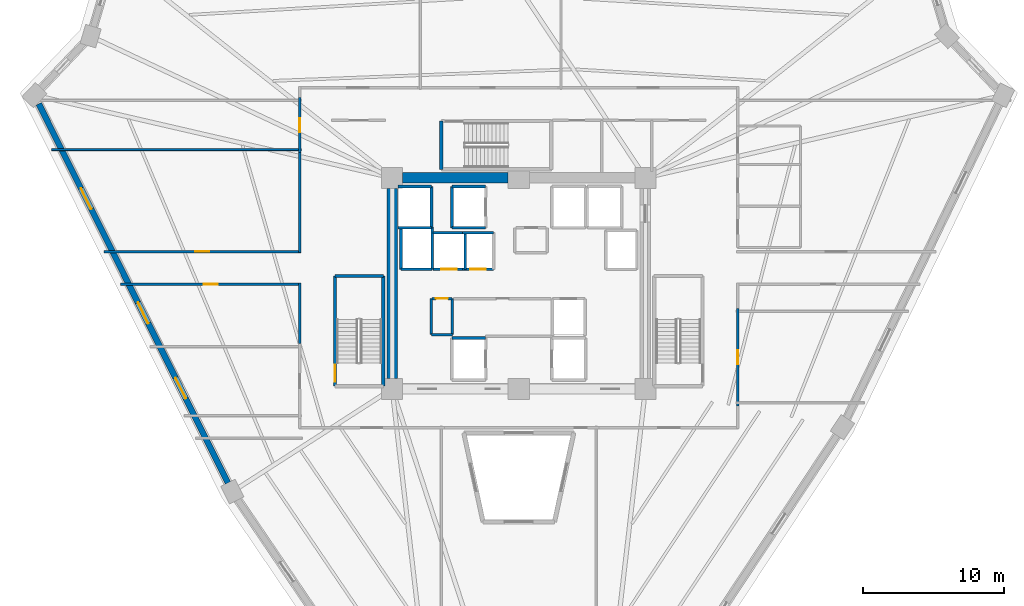
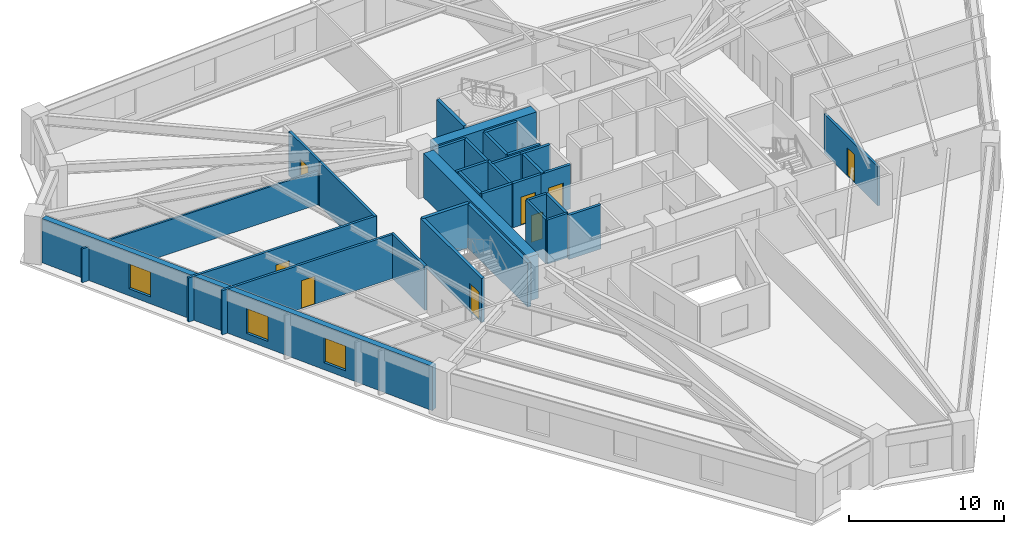
# One storey, part 4 of 8: 33 walls, 8 doors, 3 windows, 11 openings.
"""IFC4 building model written with IfcOpenShell, lengths in metres."""

from ifc_helpers import new_model, si_unit, direction, frame, frame_2d, origin, place, context, subcontext, project, spatial, rectangle, extrude, source, transform, mapped, material, layer, layer_set, type_object, element, fill, save


model = new_model("IFC4")

# Units and contexts
model_context = context("Model", 3, precision=1e-05, world=origin(), true_north=direction((0.0, 1.0)))
body_context = subcontext(model_context, "Body", "Model", "MODEL_VIEW")
ifc_project = project(units=[si_unit("LENGTHUNIT", "METRE"), si_unit("AREAUNIT", "SQUARE_METRE"), si_unit("VOLUMEUNIT", "CUBIC_METRE"), si_unit("PLANEANGLEUNIT", "RADIAN"), si_unit("MASSUNIT", "GRAM", prefix="KILO")], contexts=[model_context])

# Site, building, storey
site_placement = place(None, origin())
site = spatial("IfcSite", under=ifc_project, at=site_placement, CompositionType="ELEMENT")
building_placement = place(site_placement, origin())
building = spatial("IfcBuilding", under=site, at=building_placement, Name="Liaohun Quay Tower", CompositionType="ELEMENT")
storey_placement = place(building_placement, frame((0.0, 0.0, 181.5)))
storey = spatial("IfcBuildingStorey", under=building, at=storey_placement, Name="L47", CompositionType="ELEMENT", Elevation=181.5)

# Walls
ifc_material_1 = material(Name="Concrete C60", Category="concrete")
ifc_layer_1 = layer(ifc_material_1, 0.75, Name="Concrete C60", Category="concrete")
ifc_layer_set_1 = layer_set([ifc_layer_1], Name="Concrete C60")
wall_type_1 = type_object("IfcWallType", Name="WAL-COR-Z2", PredefinedType="SHEAR", material=ifc_layer_set_1)
wall_1_placement = place(storey_placement, frame((51.75, 61.5, 0.0), z_axis=(0.0, 0.0, 1.0), x_axis=(1.0, 0.0, 0.0)))
element("IfcWall", 1, at=wall_1_placement, inside=storey, type_object=wall_type_1, Name="L47 Central Core Shear Wall N-W", PredefinedType="SHEAR", context=body_context, shape_type="SweptSolid", body=[
    extrude(rectangle(XDim=7.5, YDim=0.75, at=frame_2d((3.75, 0.0))), origin(), (0.0, 0.0, 1.0), 3.469970703125),
])
wall_2_placement = place(storey_placement, frame((51.0, 47.25, 0.0), z_axis=(0.0, 0.0, 1.0), x_axis=(0.0, 1.0, 0.0)))
element("IfcWall", 2, at=wall_2_placement, inside=storey, type_object=wall_type_1, Name="L47 Central Core Shear Wall W", PredefinedType="SHEAR", context=body_context, shape_type="SweptSolid", body=[
    extrude(rectangle(XDim=13.5, YDim=0.75, at=frame_2d((6.75, 0.0))), origin(), (0.0, 0.0, 1.0), 3.469970703125),
])

# Wall, openings, windows
ifc_material_2 = material(Name="Precast concrete C50 insulated sandwich", Category="concrete")
ifc_layer_2 = layer(ifc_material_2, 0.419921875, Name="Precast concrete C50 insulated sandwich", Category="concrete")
ifc_layer_set_2 = layer_set([ifc_layer_2], Name="Precast concrete C50 insulated sandwich")
wall_type_2 = type_object("IfcWallType", Name="WAL-EXT-Z12", PredefinedType="SOLIDWALL", material=ifc_layer_set_2)
wall_3_placement = place(storey_placement, frame((25.887939453125, 66.7529296875, 0.0), z_axis=(0.0, 0.0, 1.0), x_axis=(0.446538896614, -0.894764222469, 0.0)))
wall_3 = element("IfcWall", 3, at=wall_3_placement, inside=storey, type_object=wall_type_2, Name="L47 Brutalist Precast Pier Wall 10", PredefinedType="SOLIDWALL", context=body_context, shape_type="SweptSolid", body=[
    extrude(rectangle(XDim=30.11181640625, YDim=0.419921875, at=frame_2d((15.055908203125, 0.0))), origin(), (0.0, 0.0, 1.0), 3.469970703125),
])
shared_shape_1 = source(origin(), body_context, "Body", "SweptSolid", [
    extrude(rectangle(XDim=1.64990234375, YDim=1.949951171875, at=frame_2d((0.824951171875, 0.97509765625))), frame((0.0, 0.219970703125, 0.0), z_axis=(0.0, -1.0, 0.0), x_axis=(1.0, 0.0, 0.0)), (0.0, 0.0, 1.0), 0.43994140625),
])
opening_1_placement = place(wall_3_placement, frame((6.702880859375, 0.0, 0.550048828125)))
opening_1 = element("IfcOpeningElement", 4, at=opening_1_placement, cuts=wall_3, Name="Opening W02", PredefinedType="OPENING", context=body_context, shape_type="MappedRepresentation", body=[
    mapped(shared_shape_1, transform((0.0, 0.0, 0.0), x_axis=(1.0, 0.0, 0.0), y_axis=(0.0, 1.0, 0.0), z_axis=(0.0, 0.0, 1.0), scale=1.0)),
])
opening_2_placement = place(wall_3_placement, frame((15.781005859375, 0.0, 0.550048828125)))
opening_2 = element("IfcOpeningElement", 5, at=opening_2_placement, cuts=wall_3, Name="Opening W02", PredefinedType="OPENING", context=body_context, shape_type="MappedRepresentation", body=[
    mapped(shared_shape_1, transform((0.0, 0.0, 0.0), x_axis=(1.0, 0.0, 0.0), y_axis=(0.0, 1.0, 0.0), z_axis=(0.0, 0.0, 1.0), scale=1.0)),
])
opening_3_placement = place(wall_3_placement, frame((21.759033203125, 0.0, 0.550048828125)))
opening_3 = element("IfcOpeningElement", 6, at=opening_3_placement, cuts=wall_3, Name="Opening W02", PredefinedType="OPENING", context=body_context, shape_type="MappedRepresentation", body=[
    mapped(shared_shape_1, transform((0.0, 0.0, 0.0), x_axis=(1.0, 0.0, 0.0), y_axis=(0.0, 1.0, 0.0), z_axis=(0.0, 0.0, 1.0), scale=1.0)),
])
ifc_material_3 = material(Name="Triple Low-E argon glazing in thermally broken aluminium", Category="aluminium")
window_type = type_object("IfcWindowType", Name="WIN-PUN-Z2", PartitioningType="DOUBLE_PANEL_VERTICAL", PredefinedType="WINDOW", material=ifc_material_3)
shared_shape_2 = source(origin(), body_context, "Body", "SweptSolid", [
    extrude(rectangle(XDim=1.64990234375, YDim=1.949951171875, at=frame_2d((0.824951171875, 0.97509765625))), frame((0.0, 0.030029296875, 0.0), z_axis=(0.0, -1.0, 0.0), x_axis=(1.0, 0.0, 0.0)), (0.0, 0.0, 1.0), 0.06005859375),
])
window_1_placement = place(opening_1_placement, origin())
window_1 = element("IfcWindow", 7, at=window_1_placement, inside=storey, type_object=window_type, Name="L47 Recessed Cold-Climate Punched Window 10-1", OverallHeight=1.949951171875, OverallWidth=1.64990234375, PartitioningType="DOUBLE_PANEL_VERTICAL", PredefinedType="WINDOW", context=body_context, shape_type="MappedRepresentation", body=[
    mapped(shared_shape_2, transform((0.0, 0.0, 0.0), x_axis=(1.0, 0.0, 0.0), y_axis=(0.0, 1.0, 0.0), z_axis=(0.0, 0.0, 1.0), scale=1.0)),
])
fill(opening_1, window_1)
window_2_placement = place(opening_2_placement, origin())
window_2 = element("IfcWindow", 8, at=window_2_placement, inside=storey, type_object=window_type, Name="L47 Recessed Cold-Climate Punched Window 10-2", OverallHeight=1.949951171875, OverallWidth=1.64990234375, PartitioningType="DOUBLE_PANEL_VERTICAL", PredefinedType="WINDOW", context=body_context, shape_type="MappedRepresentation", body=[
    mapped(shared_shape_2, transform((0.0, 0.0, 0.0), x_axis=(1.0, 0.0, 0.0), y_axis=(0.0, 1.0, 0.0), z_axis=(0.0, 0.0, 1.0), scale=1.0)),
])
fill(opening_2, window_2)
window_3_placement = place(opening_3_placement, origin())
window_3 = element("IfcWindow", 9, at=window_3_placement, inside=storey, type_object=window_type, Name="L47 Recessed Cold-Climate Punched Window 10-3", OverallHeight=1.949951171875, OverallWidth=1.64990234375, PartitioningType="DOUBLE_PANEL_VERTICAL", PredefinedType="WINDOW", context=body_context, shape_type="MappedRepresentation", body=[
    mapped(shared_shape_2, transform((0.0, 0.0, 0.0), x_axis=(1.0, 0.0, 0.0), y_axis=(0.0, 1.0, 0.0), z_axis=(0.0, 0.0, 1.0), scale=1.0)),
])
fill(opening_3, window_3)

# Wall, opening, door
ifc_material_4 = material(Name="Autoclaved aerated concrete blockwork", Category="masonry")
ifc_layer_3 = layer(ifc_material_4, 0.179931640625, Name="Autoclaved aerated concrete blockwork", Category="masonry")
ifc_layer_set_3 = layer_set([ifc_layer_3], Name="Autoclaved aerated concrete blockwork")
wall_type_3 = type_object("IfcWallType", Name="WAL-PRT-COR", PredefinedType="PARTITIONING", material=ifc_layer_set_3)
wall_4_placement = place(storey_placement, frame((53.820068359375, 52.919921875, 0.0), z_axis=(0.0, 0.0, 1.0), x_axis=(1.0, 0.0, 0.0)))
wall_4 = element("IfcWall", 10, at=wall_4_placement, inside=storey, type_object=wall_type_3, Name="L47 Interior Partition Wall 003", PredefinedType="PARTITIONING", context=body_context, shape_type="SweptSolid", body=[
    extrude(rectangle(XDim=1.429931640625, YDim=0.179931640625, at=frame_2d((0.71484375, 0.0))), origin(), (0.0, 0.0, 1.0), 3.469970703125),
])
shared_shape_3 = source(origin(), body_context, "Body", "SweptSolid", [
    extrude(rectangle(XDim=0.85009765625, YDim=2.10009765625, at=frame_2d((0.425048828125, 1.050048828125))), frame((0.0, 0.099853515625, 0.0), z_axis=(0.0, -1.0, 0.0), x_axis=(1.0, 0.0, 0.0)), (0.0, 0.0, 1.0), 0.199951171875),
])
opening_4_placement = place(wall_4_placement, frame((0.2900390625, 0.0, 0.0)))
opening_4 = element("IfcOpeningElement", 11, at=opening_4_placement, cuts=wall_4, Name="Opening AD1", PredefinedType="OPENING", context=body_context, shape_type="MappedRepresentation", body=[
    mapped(shared_shape_3, transform((0.0, 0.0, 0.0), x_axis=(1.0, 0.0, 0.0), y_axis=(0.0, 1.0, 0.0), z_axis=(0.0, 0.0, 1.0), scale=1.0)),
])
ifc_material_5 = material(Name="Steel riser inspection fire door", Category="steel")
door_type_1 = type_object("IfcDoorType", Name="DOR-SHF-850", OperationType="NOTDEFINED", PredefinedType="DOOR", material=ifc_material_5)
shared_shape_4 = source(origin(), body_context, "Body", "SweptSolid", [
    extrude(rectangle(XDim=0.85009765625, YDim=2.10009765625, at=frame_2d((0.425048828125, 1.050048828125))), frame((0.0, 0.02490234375, 0.0), z_axis=(0.0, -1.0, 0.0), x_axis=(1.0, 0.0, 0.0)), (0.0, 0.0, 1.0), 0.050048828125),
])
door_1_placement = place(opening_4_placement, origin())
door_1 = element("IfcDoor", 12, at=door_1_placement, inside=storey, type_object=door_type_1, Name="L47 Mechanical Smoke Duct Room Door", OperationType="SINGLE_SWING_LEFT", OverallHeight=2.10009765625, OverallWidth=0.85009765625, PredefinedType="DOOR", context=body_context, shape_type="MappedRepresentation", body=[
    mapped(shared_shape_4, transform((0.0, 0.0, 0.0), x_axis=(1.0, 0.0, 0.0), y_axis=(0.0, 1.0, 0.0), z_axis=(0.0, 0.0, 1.0), scale=1.0)),
])
fill(opening_4, door_1)

wall_5_placement = place(storey_placement, frame((44.43994140625, 63.284912109375, 0.0), z_axis=(0.0, 0.0, 1.0), x_axis=(0.0, 1.0, 0.0)))
wall_5 = element("IfcWall", 13, at=wall_5_placement, inside=storey, type_object=wall_type_3, Name="L47 Interior Partition Wall 015", PredefinedType="PARTITIONING", context=body_context, shape_type="SweptSolid", body=[
    extrude(rectangle(XDim=3.93017578125, YDim=0.179931640625, at=frame_2d((1.965087890625, 0.0))), origin(), (0.0, 0.0, 1.0), 3.469970703125),
])
shared_shape_5 = source(origin(), body_context, "Body", "SweptSolid", [
    extrude(rectangle(XDim=1.0, YDim=2.199951171875, at=frame_2d((0.5, 1.10009765625))), frame((0.0, 0.099853515625, 0.0), z_axis=(0.0, -1.0, 0.0), x_axis=(1.0, 0.0, 0.0)), (0.0, 0.0, 1.0), 0.199951171875),
])
opening_5_placement = place(wall_5_placement, frame((1.465087890625, 0.0, 0.0)))
opening_5 = element("IfcOpeningElement", 14, at=opening_5_placement, cuts=wall_5, Name="Opening OD1", PredefinedType="OPENING", context=body_context, shape_type="MappedRepresentation", body=[
    mapped(shared_shape_5, transform((0.0, 0.0, 0.0), x_axis=(1.0, 0.0, 0.0), y_axis=(0.0, 1.0, 0.0), z_axis=(0.0, 0.0, 1.0), scale=1.0)),
])
ifc_material_6 = material(Name="Solid-core oak veneer timber leaf in steel frame", Category="steel")
door_type_2 = type_object("IfcDoorType", Name="DOR-OFF-1000", OperationType="NOTDEFINED", PredefinedType="DOOR", material=ifc_material_6)
shared_shape_6 = source(origin(), body_context, "Body", "SweptSolid", [
    extrude(rectangle(XDim=1.0, YDim=2.199951171875, at=frame_2d((0.5, 1.10009765625))), frame((0.0, 0.02490234375, 0.0), z_axis=(0.0, -1.0, 0.0), x_axis=(1.0, 0.0, 0.0)), (0.0, 0.0, 1.0), 0.050048828125),
])
door_2_placement = place(opening_5_placement, origin())
door_2 = element("IfcDoor", 15, at=door_2_placement, inside=storey, type_object=door_type_2, Name="L47 Digital Prototyping Laboratory 05 Door", OperationType="SINGLE_SWING_LEFT", OverallHeight=2.199951171875, OverallWidth=1.0, PredefinedType="DOOR", context=body_context, shape_type="MappedRepresentation", body=[
    mapped(shared_shape_6, transform((0.0, 0.0, 0.0), x_axis=(1.0, 0.0, 0.0), y_axis=(0.0, 1.0, 0.0), z_axis=(0.0, 0.0, 1.0), scale=1.0)),
])
fill(opening_5, door_2)

wall_6_placement = place(storey_placement, frame((30.529052734375, 56.260009765625, 0.0), z_axis=(0.0, 0.0, 1.0), x_axis=(1.0, 0.0, 0.0)))
wall_6 = element("IfcWall", 16, at=wall_6_placement, inside=storey, type_object=wall_type_3, Name="L47 Interior Partition Wall 016", PredefinedType="PARTITIONING", context=body_context, shape_type="SweptSolid", body=[
    extrude(rectangle(XDim=13.98095703125, YDim=0.179931640625, at=frame_2d((6.990478515625, 0.0))), origin(), (0.0, 0.0, 1.0), 3.469970703125),
])
opening_6_placement = place(wall_6_placement, frame((6.489990234375, 0.0, 0.0)))
opening_6 = element("IfcOpeningElement", 17, at=opening_6_placement, cuts=wall_6, Name="Opening OD1", PredefinedType="OPENING", context=body_context, shape_type="MappedRepresentation", body=[
    mapped(shared_shape_5, transform((0.0, 0.0, 0.0), x_axis=(1.0, 0.0, 0.0), y_axis=(0.0, 1.0, 0.0), z_axis=(0.0, 0.0, 1.0), scale=1.0)),
])
door_3_placement = place(opening_6_placement, origin())
door_3 = element("IfcDoor", 18, at=door_3_placement, inside=storey, type_object=door_type_2, Name="L47 Staff Tea Kitchen and Pantry 06 Door", OperationType="SINGLE_SWING_RIGHT", OverallHeight=2.199951171875, OverallWidth=1.0, PredefinedType="DOOR", context=body_context, shape_type="MappedRepresentation", body=[
    mapped(shared_shape_6, transform((0.0, 0.0, 0.0), x_axis=(1.0, 0.0, 0.0), y_axis=(0.0, 1.0, 0.0), z_axis=(0.0, 0.0, 1.0), scale=1.0)),
])
fill(opening_6, door_3)

wall_7_placement = place(storey_placement, frame((44.510009765625, 53.93994140625, 0.0), z_axis=(0.0, 0.0, 1.0), x_axis=(-1.0, 0.0, 0.0)))
wall_7 = element("IfcWall", 19, at=wall_7_placement, inside=storey, type_object=wall_type_3, Name="L47 Interior Partition Wall 017", PredefinedType="PARTITIONING", context=body_context, shape_type="SweptSolid", body=[
    extrude(rectangle(XDim=12.822998046875, YDim=0.179931640625, at=frame_2d((6.41162109375, 0.0))), origin(), (0.0, 0.0, 1.0), 3.469970703125),
])
opening_7_placement = place(wall_7_placement, frame((5.910888671875, 0.0, 0.0)))
opening_7 = element("IfcOpeningElement", 20, at=opening_7_placement, cuts=wall_7, Name="Opening OD1", PredefinedType="OPENING", context=body_context, shape_type="MappedRepresentation", body=[
    mapped(shared_shape_5, transform((0.0, 0.0, 0.0), x_axis=(1.0, 0.0, 0.0), y_axis=(0.0, 1.0, 0.0), z_axis=(0.0, 0.0, 1.0), scale=1.0)),
])
door_4_placement = place(opening_7_placement, origin())
door_4 = element("IfcDoor", 21, at=door_4_placement, inside=storey, type_object=door_type_2, Name="L47 Staff Daycare Nursery 07 Door", OperationType="SINGLE_SWING_LEFT", OverallHeight=2.199951171875, OverallWidth=1.0, PredefinedType="DOOR", context=body_context, shape_type="MappedRepresentation", body=[
    mapped(shared_shape_6, transform((0.0, 0.0, 0.0), x_axis=(1.0, 0.0, 0.0), y_axis=(0.0, 1.0, 0.0), z_axis=(0.0, 0.0, 1.0), scale=1.0)),
])
fill(opening_7, door_4)

wall_8_placement = place(storey_placement, frame((75.56005859375, 52.215087890625, 0.0), z_axis=(0.0, 0.0, 1.0), x_axis=(0.0, -1.0, 0.0)))
wall_8 = element("IfcWall", 22, at=wall_8_placement, inside=storey, type_object=wall_type_3, Name="L47 Interior Partition Wall 022", PredefinedType="PARTITIONING", context=body_context, shape_type="SweptSolid", body=[
    extrude(rectangle(XDim=6.93017578125, YDim=0.179931640625, at=frame_2d((3.465087890625, 0.0))), origin(), (0.0, 0.0, 1.0), 3.054931640625),
])
opening_8_placement = place(wall_8_placement, frame((2.965087890625, 0.0, 0.0)))
opening_8 = element("IfcOpeningElement", 23, at=opening_8_placement, cuts=wall_8, Name="Opening OD1", PredefinedType="OPENING", context=body_context, shape_type="MappedRepresentation", body=[
    mapped(shared_shape_5, transform((0.0, 0.0, 0.0), x_axis=(1.0, 0.0, 0.0), y_axis=(0.0, 1.0, 0.0), z_axis=(0.0, 0.0, 1.0), scale=1.0)),
])
door_5_placement = place(opening_8_placement, origin())
door_5 = element("IfcDoor", 24, at=door_5_placement, inside=storey, type_object=door_type_2, Name="L47 Client Reception Office 12 Door", OperationType="SINGLE_SWING_RIGHT", OverallHeight=2.199951171875, OverallWidth=1.0, PredefinedType="DOOR", context=body_context, shape_type="MappedRepresentation", body=[
    mapped(shared_shape_6, transform((0.0, 0.0, 0.0), x_axis=(1.0, 0.0, 0.0), y_axis=(0.0, 1.0, 0.0), z_axis=(0.0, 0.0, 1.0), scale=1.0)),
])
fill(opening_8, door_5)

# Walls
wall_9_placement = place(storey_placement, frame((53.7900390625, 50.35009765625, 0.0), z_axis=(0.0, 0.0, 1.0), x_axis=(0.0, 1.0, 0.0)))
element("IfcWall", 25, at=wall_9_placement, inside=storey, type_object=wall_type_3, Name="L47 Interior Partition Wall 027", PredefinedType="PARTITIONING", context=body_context, shape_type="SweptSolid", body=[
    extrude(rectangle(XDim=2.56982421875, YDim=0.179931640625, at=frame_2d((1.284912109375, 0.0))), origin(), (0.0, 0.0, 1.0), 3.469970703125),
])
wall_10_placement = place(storey_placement, frame((53.7900390625, 50.35009765625, 0.0), z_axis=(0.0, 0.0, 1.0), x_axis=(1.0, 0.0, 0.0)))
element("IfcWall", 26, at=wall_10_placement, inside=storey, type_object=wall_type_3, Name="L47 Interior Partition Wall 028", PredefinedType="PARTITIONING", context=body_context, shape_type="SweptSolid", body=[
    extrude(rectangle(XDim=1.489990234375, YDim=0.179931640625, at=frame_2d((0.7451171875, 0.0))), origin(), (0.0, 0.0, 1.0), 3.469970703125),
])
wall_11_placement = place(storey_placement, frame((55.280029296875, 50.35009765625, 0.0), z_axis=(0.0, 0.0, 1.0), x_axis=(0.0, 1.0, 0.0)))
element("IfcWall", 27, at=wall_11_placement, inside=storey, type_object=wall_type_3, Name="L47 Interior Partition Wall 029", PredefinedType="PARTITIONING", context=body_context, shape_type="SweptSolid", body=[
    extrude(rectangle(XDim=2.56982421875, YDim=0.179931640625, at=frame_2d((1.284912109375, 0.0))), origin(), (0.0, 0.0, 1.0), 3.469970703125),
])
wall_12_placement = place(storey_placement, frame((44.43994140625, 56.18994140625, 0.0), z_axis=(0.0, 0.0, 1.0), x_axis=(0.0, 1.0, 0.0)))
element("IfcWall", 28, at=wall_12_placement, inside=storey, type_object=wall_type_3, Name="L47 Interior Partition Wall 040", PredefinedType="PARTITIONING", context=body_context, shape_type="SweptSolid", body=[
    extrude(rectangle(XDim=7.094970703125, YDim=0.179931640625, at=frame_2d((3.54736328125, 0.0))), origin(), (0.0, 0.0, 1.0), 3.469970703125),
])
wall_13_placement = place(storey_placement, frame((44.43994140625, 49.715087890625, 0.0), z_axis=(0.0, 0.0, 1.0), x_axis=(0.0, 1.0, 0.0)))
element("IfcWall", 29, at=wall_13_placement, inside=storey, type_object=wall_type_3, Name="L47 Interior Partition Wall 041", PredefinedType="PARTITIONING", context=body_context, shape_type="SweptSolid", body=[
    extrude(rectangle(XDim=4.294921875, YDim=0.179931640625, at=frame_2d((2.1474609375, 0.0))), origin(), (0.0, 0.0, 1.0), 3.469970703125),
])
ifc_material_7 = material(Name="Gypsum board on twin steel studs", Category="steel")
ifc_layer_4 = layer(ifc_material_7, 0.139892578125, Name="Gypsum board on twin steel studs", Category="steel")
ifc_layer_set_4 = layer_set([ifc_layer_4], Name="Gypsum board on twin steel studs")
wall_type_4 = type_object("IfcWallType", Name="WAL-PRT-OFF", PredefinedType="PARTITIONING", material=ifc_layer_set_4)
wall_14_placement = place(storey_placement, frame((44.5400390625, 63.5, 0.0), z_axis=(0.0, 0.0, 1.0), x_axis=(-1.0, 0.0, 0.0)))
element("IfcWall", 30, at=wall_14_placement, inside=storey, type_object=wall_type_4, Name="L47 Interior Partition Wall 048", PredefinedType="PARTITIONING", context=body_context, shape_type="SweptSolid", body=[
    extrude(rectangle(XDim=17.733154296875, YDim=0.139892578125, at=frame_2d((8.86669921875, 0.0))), origin(), (0.0, 0.0, 1.0), 2.655029296875),
])
ifc_material_8 = material(Name="Concrete C50", Category="concrete")
ifc_layer_5 = layer(ifc_material_8, 0.239990234375, Name="Concrete C50", Category="concrete")
ifc_layer_set_5 = layer_set([ifc_layer_5], Name="Concrete C50")
wall_type_5 = type_object("IfcWallType", Name="WAL-SHF-200", PredefinedType="SOLIDWALL", material=ifc_layer_set_5)
wall_15_placement = place(storey_placement, frame((50.3798828125, 46.699951171875, 0.0), z_axis=(0.0, 0.0, 1.0), x_axis=(0.0, 1.0, 0.0)))
element("IfcWall", 31, at=wall_15_placement, inside=storey, type_object=wall_type_5, Name="L47 Stairwell ST-1 Structural Core Wall E", PredefinedType="SOLIDWALL", context=body_context, shape_type="SweptSolid", body=[
    extrude(rectangle(XDim=7.820068359375, YDim=0.239990234375, at=frame_2d((3.91015625, 0.0))), origin(), (0.0, 0.0, 1.0), 3.469970703125),
])
wall_16_placement = place(storey_placement, frame((50.3798828125, 54.52001953125, 0.0), z_axis=(0.0, 0.0, 1.0), x_axis=(-1.0, 0.0, 0.0)))
element("IfcWall", 32, at=wall_16_placement, inside=storey, type_object=wall_type_5, Name="L47 Stairwell ST-1 Structural Core Wall N", PredefinedType="SOLIDWALL", context=body_context, shape_type="SweptSolid", body=[
    extrude(rectangle(XDim=3.43994140625, YDim=0.239990234375, at=frame_2d((1.719970703125, 0.0))), origin(), (0.0, 0.0, 1.0), 3.469970703125),
])

# Wall, opening, door
wall_17_placement = place(storey_placement, frame((46.93994140625, 54.52001953125, 0.0), z_axis=(0.0, 0.0, 1.0), x_axis=(0.0, -1.0, 0.0)))
wall_17 = element("IfcWall", 33, at=wall_17_placement, inside=storey, type_object=wall_type_5, Name="L47 Stairwell ST-1 Structural Core Wall W", PredefinedType="SOLIDWALL", context=body_context, shape_type="SweptSolid", body=[
    extrude(rectangle(XDim=7.820068359375, YDim=0.239990234375, at=frame_2d((3.91015625, 0.0))), origin(), (0.0, 0.0, 1.0), 3.469970703125),
])
shared_shape_7 = source(origin(), body_context, "Body", "SweptSolid", [
    extrude(rectangle(XDim=1.199951171875, YDim=2.199951171875, at=frame_2d((0.60009765625, 1.10009765625))), frame((0.0, 0.1298828125, 0.0), z_axis=(0.0, -1.0, 0.0), x_axis=(1.0, 0.0, 0.0)), (0.0, 0.0, 1.0), 0.260009765625),
])
opening_9_placement = place(wall_17_placement, frame((6.300048828125, 0.0, 0.0)))
opening_9 = element("IfcOpeningElement", 34, at=opening_9_placement, cuts=wall_17, Name="Opening SD1", PredefinedType="OPENING", context=body_context, shape_type="MappedRepresentation", body=[
    mapped(shared_shape_7, transform((0.0, 0.0, 0.0), x_axis=(1.0, 0.0, 0.0), y_axis=(0.0, 1.0, 0.0), z_axis=(0.0, 0.0, 1.0), scale=1.0)),
])
ifc_material_9 = material(Name="Galvanised steel fire door", Category="steel")
door_type_3 = type_object("IfcDoorType", Name="DOR-STR-1200", OperationType="NOTDEFINED", PredefinedType="DOOR", material=ifc_material_9)
shared_shape_8 = source(origin(), body_context, "Body", "SweptSolid", [
    extrude(rectangle(XDim=1.199951171875, YDim=2.199951171875, at=frame_2d((0.60009765625, 1.10009765625))), frame((0.0, 0.02490234375, 0.0), z_axis=(0.0, -1.0, 0.0), x_axis=(1.0, 0.0, 0.0)), (0.0, 0.0, 1.0), 0.050048828125),
])
door_6_placement = place(opening_9_placement, origin())
door_6 = element("IfcDoor", 35, at=door_6_placement, inside=storey, type_object=door_type_3, Name="L47 Protected Stair ST-1 Fire Door", OperationType="SINGLE_SWING_LEFT", OverallHeight=2.199951171875, OverallWidth=1.199951171875, PredefinedType="DOOR", context=body_context, shape_type="MappedRepresentation", body=[
    mapped(shared_shape_8, transform((0.0, 0.0, 0.0), x_axis=(1.0, 0.0, 0.0), y_axis=(0.0, 1.0, 0.0), z_axis=(0.0, 0.0, 1.0), scale=1.0)),
])
fill(opening_9, door_6)

# Walls
wall_18_placement = place(storey_placement, frame((54.5, 65.5400390625, 0.0), z_axis=(0.0, 0.0, 1.0), x_axis=(0.0, -1.0, 0.0)))
element("IfcWall", 36, at=wall_18_placement, inside=storey, type_object=wall_type_5, Name="L47 Stairwell ST-3 Structural Core Wall W", PredefinedType="SOLIDWALL", context=body_context, shape_type="SweptSolid", body=[
    extrude(rectangle(XDim=3.43994140625, YDim=0.239990234375, at=frame_2d((1.719970703125, 0.0))), origin(), (0.0, 0.0, 1.0), 3.469970703125),
])
for number, where, z_axis, x_axis, name in (
    (37, (57.64990234375, 50.1201171875, 0.0), (0.0, 0.0, 1.0), (-1.0, 0.0, 0.0), "L47 Lift FF-01 Hoistway Wall N"),
    (38, (55.25, 57.949951171875, 0.0), (0.0, 0.0, 1.0), (1.0, 0.0, 0.0), "L47 Lift FF-03 Hoistway Wall S"),
    (39, (57.64990234375, 60.8798828125, 0.0), (0.0, 0.0, 1.0), (-1.0, 0.0, 0.0), "L47 Lift FF-03 Hoistway Wall N"),
):
    element("IfcWall", number, at=place(storey_placement, frame(where, z_axis=z_axis, x_axis=x_axis)), inside=storey, type_object=wall_type_5, Name=name, PredefinedType="SOLIDWALL", context=body_context, shape_type="SweptSolid", body=[
        extrude(rectangle(XDim=2.39990234375, YDim=0.199951171875, at=frame_2d((1.199951171875, 0.0))), origin(), (0.0, 0.0, 1.0), 3.469970703125),
    ])
wall_19_placement = place(storey_placement, frame((55.25, 60.8798828125, 0.0), z_axis=(0.0, 0.0, 1.0), x_axis=(0.0, -1.0, 0.0)))
element("IfcWall", 40, at=wall_19_placement, inside=storey, type_object=wall_type_5, Name="L47 Lift FF-03 Hoistway Wall W", PredefinedType="SOLIDWALL", context=body_context, shape_type="SweptSolid", body=[
    extrude(rectangle(XDim=2.929931640625, YDim=0.199951171875, at=frame_2d((1.46484375, 0.0))), origin(), (0.0, 0.0, 1.0), 3.469970703125),
])
wall_20_placement = place(storey_placement, frame((51.39990234375, 57.949951171875, 0.0), z_axis=(0.0, 0.0, 1.0), x_axis=(1.0, 0.0, 0.0)))
element("IfcWall", 41, at=wall_20_placement, inside=storey, type_object=wall_type_5, Name="L47 Lift SH-01 Hoistway Wall S", PredefinedType="SOLIDWALL", context=body_context, shape_type="SweptSolid", body=[
    extrude(rectangle(XDim=2.400146484375, YDim=0.199951171875, at=frame_2d((1.2001953125, 0.0))), origin(), (0.0, 0.0, 1.0), 3.469970703125),
])
wall_21_placement = place(storey_placement, frame((53.800048828125, 57.949951171875, 0.0), z_axis=(0.0, 0.0, 1.0), x_axis=(0.0, 1.0, 0.0)))
element("IfcWall", 42, at=wall_21_placement, inside=storey, type_object=wall_type_5, Name="L47 Lift SH-01 Hoistway Wall E", PredefinedType="SOLIDWALL", context=body_context, shape_type="SweptSolid", body=[
    extrude(rectangle(XDim=2.929931640625, YDim=0.199951171875, at=frame_2d((1.46484375, 0.0))), origin(), (0.0, 0.0, 1.0), 3.469970703125),
])
wall_22_placement = place(storey_placement, frame((53.800048828125, 60.8798828125, 0.0), z_axis=(0.0, 0.0, 1.0), x_axis=(-1.0, 0.0, 0.0)))
element("IfcWall", 43, at=wall_22_placement, inside=storey, type_object=wall_type_5, Name="L47 Lift SH-01 Hoistway Wall N", PredefinedType="SOLIDWALL", context=body_context, shape_type="SweptSolid", body=[
    extrude(rectangle(XDim=2.400146484375, YDim=0.199951171875, at=frame_2d((1.2001953125, 0.0))), origin(), (0.0, 0.0, 1.0), 3.469970703125),
])
wall_23_placement = place(storey_placement, frame((51.6201171875, 55.0, 0.0), z_axis=(0.0, 0.0, 1.0), x_axis=(1.0, 0.0, 0.0)))
element("IfcWall", 44, at=wall_23_placement, inside=storey, type_object=wall_type_5, Name="L47 Lift SH-02 Hoistway Wall S", PredefinedType="SOLIDWALL", context=body_context, shape_type="SweptSolid", body=[
    extrude(rectangle(XDim=2.22998046875, YDim=0.199951171875, at=frame_2d((1.114990234375, 0.0))), origin(), (0.0, 0.0, 1.0), 3.469970703125),
])
for number, where, z_axis, x_axis, name in (
    (45, (53.85009765625, 55.0, 0.0), (0.0, 0.0, 1.0), (0.0, 1.0, 0.0), "L47 Lift SH-02 Hoistway Wall E"),
    (46, (51.6201171875, 58.0, 0.0), (0.0, 0.0, 1.0), (0.0, -1.0, 0.0), "L47 Lift SH-02 Hoistway Wall W"),
):
    element("IfcWall", number, at=place(storey_placement, frame(where, z_axis=z_axis, x_axis=x_axis)), inside=storey, type_object=wall_type_5, Name=name, PredefinedType="SOLIDWALL", context=body_context, shape_type="SweptSolid", body=[
        extrude(rectangle(XDim=3.0, YDim=0.199951171875, at=frame_2d((1.5, 0.0))), origin(), (0.0, 0.0, 1.0), 3.469970703125),
    ])

# Wall, opening, door
wall_24_placement = place(storey_placement, frame((53.89990234375, 55.0, 0.0), z_axis=(0.0, 0.0, 1.0), x_axis=(1.0, 0.0, 0.0)))
wall_24 = element("IfcWall", 47, at=wall_24_placement, inside=storey, type_object=wall_type_5, Name="L47 Lift PL-2B Hoistway Wall S", PredefinedType="SOLIDWALL", context=body_context, shape_type="SweptSolid", body=[
    extrude(rectangle(XDim=2.300048828125, YDim=0.199951171875, at=frame_2d((1.14990234375, 0.0))), origin(), (0.0, 0.0, 1.0), 3.469970703125),
])
shared_shape_9 = source(origin(), body_context, "Body", "SweptSolid", [
    extrude(rectangle(XDim=1.10009765625, YDim=2.199951171875, at=frame_2d((0.550048828125, 1.10009765625))), frame((0.0, 0.10986328125, 0.0), z_axis=(0.0, -1.0, 0.0), x_axis=(1.0, 0.0, 0.0)), (0.0, 0.0, 1.0), 0.219970703125),
])
opening_10_placement = place(wall_24_placement, frame((0.60009765625, 0.0, 0.0)))
opening_10 = element("IfcOpeningElement", 48, at=opening_10_placement, cuts=wall_24, Name="Opening LD1", PredefinedType="OPENING", context=body_context, shape_type="MappedRepresentation", body=[
    mapped(shared_shape_9, transform((0.0, 0.0, 0.0), x_axis=(1.0, 0.0, 0.0), y_axis=(0.0, 1.0, 0.0), z_axis=(0.0, 0.0, 1.0), scale=1.0)),
])
ifc_material_10 = material(Name="Brushed stainless steel landing door", Category="steel")
door_type_4 = type_object("IfcDoorType", Name="DOR-LFT-1100", OperationType="SLIDING_TO_LEFT", PredefinedType="DOOR", material=ifc_material_10)
shared_shape_10 = source(origin(), body_context, "Body", "SweptSolid", [
    extrude(rectangle(XDim=1.10009765625, YDim=2.199951171875, at=frame_2d((0.550048828125, 1.10009765625))), frame((0.0, 0.02490234375, 0.0), z_axis=(0.0, -1.0, 0.0), x_axis=(1.0, 0.0, 0.0)), (0.0, 0.0, 1.0), 0.050048828125),
])
door_7_placement = place(opening_10_placement, origin())
door_7 = element("IfcDoor", 49, at=door_7_placement, inside=storey, type_object=door_type_4, Name="L47 Lift PL-2B Sliding Landing Door", OperationType="SLIDING_TO_LEFT", OverallHeight=2.199951171875, OverallWidth=1.10009765625, PredefinedType="DOOR", context=body_context, shape_type="MappedRepresentation", body=[
    mapped(shared_shape_10, transform((0.0, 0.0, 0.0), x_axis=(1.0, 0.0, 0.0), y_axis=(0.0, 1.0, 0.0), z_axis=(0.0, 0.0, 1.0), scale=1.0)),
])
fill(opening_10, door_7)

# Walls
wall_25_placement = place(storey_placement, frame((56.199951171875, 55.0, 0.0), z_axis=(0.0, 0.0, 1.0), x_axis=(0.0, 1.0, 0.0)))
element("IfcWall", 50, at=wall_25_placement, inside=storey, type_object=wall_type_5, Name="L47 Lift PL-2B Hoistway Wall E", PredefinedType="SOLIDWALL", context=body_context, shape_type="SweptSolid", body=[
    extrude(rectangle(XDim=2.60009765625, YDim=0.199951171875, at=frame_2d((1.300048828125, 0.0))), origin(), (0.0, 0.0, 1.0), 3.469970703125),
])
wall_26_placement = place(storey_placement, frame((56.199951171875, 57.60009765625, 0.0), z_axis=(0.0, 0.0, 1.0), x_axis=(-1.0, 0.0, 0.0)))
element("IfcWall", 51, at=wall_26_placement, inside=storey, type_object=wall_type_5, Name="L47 Lift PL-2B Hoistway Wall N", PredefinedType="SOLIDWALL", context=body_context, shape_type="SweptSolid", body=[
    extrude(rectangle(XDim=2.300048828125, YDim=0.199951171875, at=frame_2d((1.14990234375, 0.0))), origin(), (0.0, 0.0, 1.0), 3.469970703125),
])

# Wall, opening, door
wall_27_placement = place(storey_placement, frame((56.0, 55.0, 0.0), z_axis=(0.0, 0.0, 1.0), x_axis=(1.0, 0.0, 0.0)))
wall_27 = element("IfcWall", 52, at=wall_27_placement, inside=storey, type_object=wall_type_5, Name="L47 Lift PL-2C Hoistway Wall S", PredefinedType="SOLIDWALL", context=body_context, shape_type="SweptSolid", body=[
    extrude(rectangle(XDim=2.199951171875, YDim=0.199951171875, at=frame_2d((1.10009765625, 0.0))), origin(), (0.0, 0.0, 1.0), 3.469970703125),
])
opening_11_placement = place(wall_27_placement, frame((0.550048828125, 0.0, 0.0)))
opening_11 = element("IfcOpeningElement", 53, at=opening_11_placement, cuts=wall_27, Name="Opening LD1", PredefinedType="OPENING", context=body_context, shape_type="MappedRepresentation", body=[
    mapped(shared_shape_9, transform((0.0, 0.0, 0.0), x_axis=(1.0, 0.0, 0.0), y_axis=(0.0, 1.0, 0.0), z_axis=(0.0, 0.0, 1.0), scale=1.0)),
])
door_8_placement = place(opening_11_placement, origin())
door_8 = element("IfcDoor", 54, at=door_8_placement, inside=storey, type_object=door_type_4, Name="L47 Lift PL-2C Sliding Landing Door", OperationType="SLIDING_TO_LEFT", OverallHeight=2.199951171875, OverallWidth=1.10009765625, PredefinedType="DOOR", context=body_context, shape_type="MappedRepresentation", body=[
    mapped(shared_shape_10, transform((0.0, 0.0, 0.0), x_axis=(1.0, 0.0, 0.0), y_axis=(0.0, 1.0, 0.0), z_axis=(0.0, 0.0, 1.0), scale=1.0)),
])
fill(opening_11, door_8)

# Wall
wall_28_placement = place(storey_placement, frame((58.199951171875, 57.60009765625, 0.0), z_axis=(0.0, 0.0, 1.0), x_axis=(-1.0, 0.0, 0.0)))
element("IfcWall", 55, at=wall_28_placement, inside=storey, type_object=wall_type_5, Name="L47 Lift PL-2C Hoistway Wall N", PredefinedType="SOLIDWALL", context=body_context, shape_type="SweptSolid", body=[
    extrude(rectangle(XDim=2.199951171875, YDim=0.199951171875, at=frame_2d((1.10009765625, 0.0))), origin(), (0.0, 0.0, 1.0), 3.469970703125),
])

save(model, "model.ifc")
